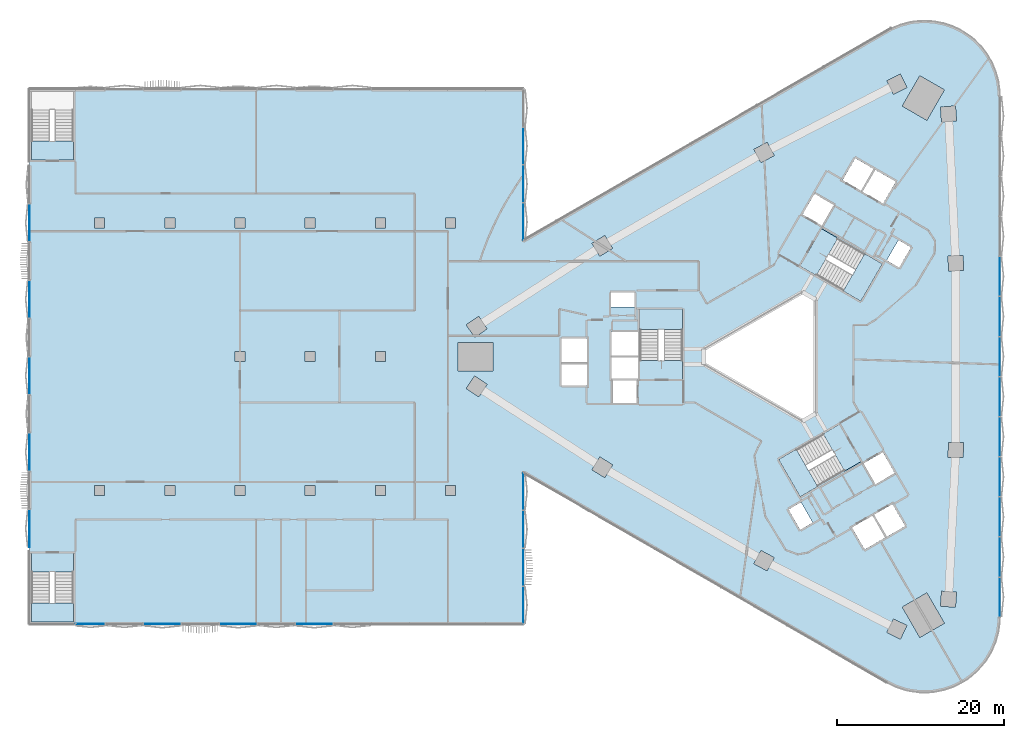
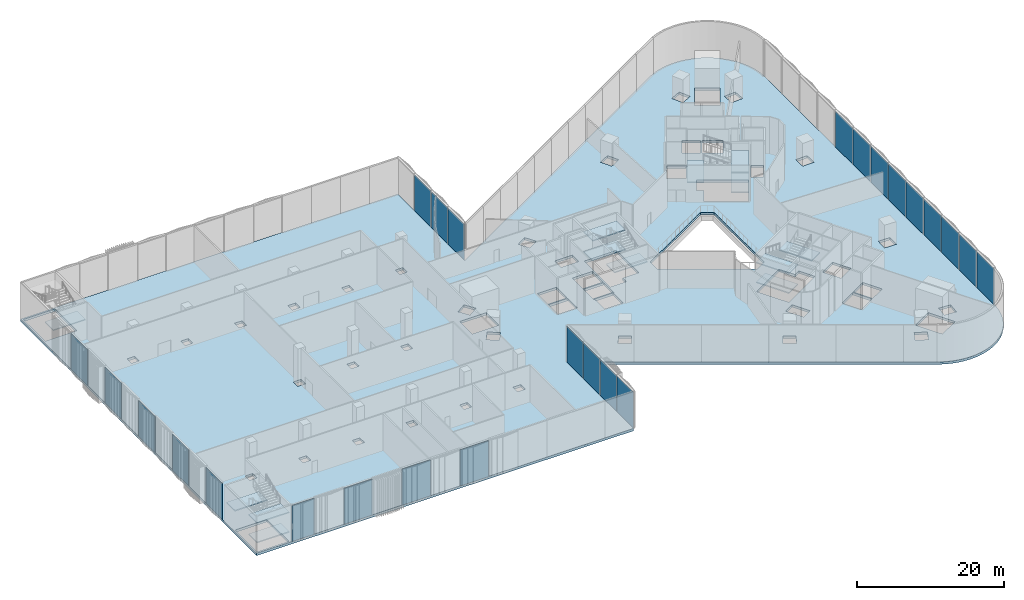
# One storey, part 10 of 32: 25 plates, 14 slabs, 8 elements without a shape of their own.
"""IFC4 building model written with IfcOpenShell, lengths in metres."""

from ifc_helpers import new_model, si_unit, direction, frame, origin, origin_2d, place, context, subcontext, project, spatial, polyline, rectangle, outline, extrude, material, layer, layer_set, type_object, element, aggregate, save


model = new_model("IFC4")

# Units and contexts
model_context = context("Model", 3, precision=1e-05, world=origin(), true_north=direction((0.0, 1.0)))
body_context = subcontext(model_context, "Body", "Model", "MODEL_VIEW")
ifc_project = project(units=[si_unit("LENGTHUNIT", "METRE"), si_unit("AREAUNIT", "SQUARE_METRE"), si_unit("VOLUMEUNIT", "CUBIC_METRE"), si_unit("PLANEANGLEUNIT", "RADIAN"), si_unit("MASSUNIT", "GRAM", prefix="KILO")], contexts=[model_context])

# Site, building, storey
site_placement = place(None, origin())
site = spatial("IfcSite", under=ifc_project, at=site_placement, CompositionType="ELEMENT")
building_placement = place(site_placement, origin())
building = spatial("IfcBuilding", under=site, at=building_placement, Name="Tamra Quay Hotel Tower", CompositionType="ELEMENT")
storey_placement = place(building_placement, frame((0.0, 0.0, 7.5)))
storey = spatial("IfcBuildingStorey", under=building, at=storey_placement, Name="L01", CompositionType="ELEMENT", Elevation=7.5)

# Stair, slabs
ifc_material_1 = material(Name="Exit stair 2200 44 risers 147.7 going 374")
stair_type = type_object("IfcStairType", Name="Exit stair 2200 44 risers 147.7 going 374", PredefinedType="HALF_TURN_STAIR", material=ifc_material_1)
stair_1_placement = place(storey_placement, origin())
stair_1 = element("IfcStair", 1, at=stair_1_placement, inside=storey, type_object=stair_type, Name="L01 Exit stair ST3", PredefinedType="HALF_TURN_STAIR")
ifc_material_2 = material(Name="Concrete M70", Category="concrete")
ifc_layer_1 = layer(ifc_material_2, 0.175048828125)
ifc_layer_set_1 = layer_set([ifc_layer_1], Name="Concrete M70 stair landing 180")
slab_type_1 = type_object("IfcSlabType", Name="Concrete M70 stair landing 180", PredefinedType="LANDING", material=ifc_layer_set_1)
slab_1_placement = place(storey_placement, frame((0.0, 0.0, 1.449951171875)))
slab_1 = element("IfcSlab", 2, at=slab_1_placement, type_object=slab_type_1, Name="ST3 landing 1", PredefinedType="LANDING", context=body_context, shape_type="SweptSolid", body=[
    extrude(outline(polyline([(-10.932373046875, 3.239990234375), (-10.932373046875, 5.679931640625), (-16.09130859375, 5.679931640625), (-16.09130859375, 3.239990234375), (-10.932373046875, 3.239990234375)])), origin(), (0.0, 0.0, 1.0), 0.175048828125),
])
slab_2_placement = place(storey_placement, frame((0.0, 0.0, 3.074951171875)))
slab_2 = element("IfcSlab", 3, at=slab_2_placement, type_object=slab_type_1, Name="ST3 landing 2", PredefinedType="LANDING", context=body_context, shape_type="SweptSolid", body=[
    extrude(outline(polyline([(-10.932373046875, -2.72998046875), (-10.932373046875, -0.460205078125), (-16.09130859375, -0.460205078125), (-16.09130859375, -2.72998046875), (-10.932373046875, -2.72998046875)])), origin(), (0.0, 0.0, 1.0), 0.175048828125),
])
slab_3_placement = place(storey_placement, frame((0.0, 0.0, 4.699951171875)))
slab_3 = element("IfcSlab", 4, at=slab_3_placement, type_object=slab_type_1, Name="ST3 landing 3", PredefinedType="LANDING", context=body_context, shape_type="SweptSolid", body=[
    extrude(outline(polyline([(-10.932373046875, 3.239990234375), (-10.932373046875, 5.679931640625), (-16.09130859375, 5.679931640625), (-16.09130859375, 3.239990234375), (-10.932373046875, 3.239990234375)])), origin(), (0.0, 0.0, 1.0), 0.175048828125),
])
aggregate(stair_1, [slab_1, slab_2, slab_3])

stair_2_placement = place(storey_placement, origin())
stair_2 = element("IfcStair", 5, at=stair_2_placement, inside=storey, type_object=stair_type, Name="L01 Exit stair ST1", PredefinedType="HALF_TURN_STAIR")
slab_4_placement = place(storey_placement, frame((0.0, 0.0, 1.449951171875)))
slab_4 = element("IfcSlab", 6, at=slab_4_placement, type_object=slab_type_1, Name="ST1 landing 1", PredefinedType="LANDING", context=body_context, shape_type="SweptSolid", body=[
    extrude(outline(polyline([(8.27197265625, 7.84765625), (10.385009765625, 6.627685546875), (12.964599609375, 11.095458984375), (10.8515625, 12.3154296875), (8.27197265625, 7.84765625)])), origin(), (0.0, 0.0, 1.0), 0.175048828125),
])
slab_5_placement = place(storey_placement, frame((0.0, 0.0, 3.074951171875)))
slab_5 = element("IfcSlab", 7, at=slab_5_placement, type_object=slab_type_1, Name="ST1 landing 2", PredefinedType="LANDING", context=body_context, shape_type="SweptSolid", body=[
    extrude(outline(polyline([(3.101806640625, 10.832763671875), (5.067626953125, 9.69775390625), (7.647216796875, 14.16552734375), (5.681396484375, 15.300537109375), (3.101806640625, 10.832763671875)])), origin(), (0.0, 0.0, 1.0), 0.175048828125),
])
slab_6_placement = place(storey_placement, frame((0.0, 0.0, 4.699951171875)))
slab_6 = element("IfcSlab", 8, at=slab_6_placement, type_object=slab_type_1, Name="ST1 landing 3", PredefinedType="LANDING", context=body_context, shape_type="SweptSolid", body=[
    extrude(outline(polyline([(8.27197265625, 7.84765625), (10.385009765625, 6.627685546875), (12.964599609375, 11.095458984375), (10.8515625, 12.3154296875), (8.27197265625, 7.84765625)])), origin(), (0.0, 0.0, 1.0), 0.175048828125),
])
aggregate(stair_2, [slab_4, slab_5, slab_6])

stair_3_placement = place(storey_placement, origin())
stair_3 = element("IfcStair", 9, at=stair_3_placement, inside=storey, type_object=stair_type, Name="L01 Exit stair ST2", PredefinedType="HALF_TURN_STAIR")
slab_7_placement = place(storey_placement, frame((0.0, 0.0, 1.449951171875)))
slab_7 = element("IfcSlab", 10, at=slab_7_placement, type_object=slab_type_1, Name="ST2 landing 1", PredefinedType="LANDING", context=body_context, shape_type="SweptSolid", body=[
    extrude(outline(polyline([(2.660400390625, -11.087646484375), (0.547119140625, -12.3076171875), (3.126708984375, -16.775390625), (5.23974609375, -15.555419921875), (2.660400390625, -11.087646484375)])), origin(), (0.0, 0.0, 1.0), 0.175048828125),
])
slab_8_placement = place(storey_placement, frame((0.0, 0.0, 3.074951171875)))
slab_8 = element("IfcSlab", 11, at=slab_8_placement, type_object=slab_type_1, Name="ST2 landing 2", PredefinedType="LANDING", context=body_context, shape_type="SweptSolid", body=[
    extrude(outline(polyline([(7.83056640625, -8.1025390625), (5.864501953125, -9.237548828125), (8.444091796875, -13.705322265625), (10.409912109375, -12.5703125), (7.83056640625, -8.1025390625)])), origin(), (0.0, 0.0, 1.0), 0.175048828125),
])
slab_9_placement = place(storey_placement, frame((0.0, 0.0, 4.699951171875)))
slab_9 = element("IfcSlab", 12, at=slab_9_placement, type_object=slab_type_1, Name="ST2 landing 3", PredefinedType="LANDING", context=body_context, shape_type="SweptSolid", body=[
    extrude(outline(polyline([(2.660400390625, -11.087646484375), (0.547119140625, -12.3076171875), (3.126708984375, -16.775390625), (5.23974609375, -15.555419921875), (2.660400390625, -11.087646484375)])), origin(), (0.0, 0.0, 1.0), 0.175048828125),
])
aggregate(stair_3, [slab_7, slab_8, slab_9])

# Stair, slab
stair_4_placement = place(storey_placement, origin())
stair_4 = element("IfcStair", 13, at=stair_4_placement, inside=storey, type_object=stair_type, Name="L01 Exit stair PS1", PredefinedType="HALF_TURN_STAIR")
slab_10_placement = place(storey_placement, frame((0.0, 0.0, 3.074951171875)))
slab_10 = element("IfcSlab", 14, at=slab_10_placement, type_object=slab_type_1, Name="PS1 landing 2", PredefinedType="LANDING", context=body_context, shape_type="SweptSolid", body=[
    extrude(outline(polyline([(-83.820068359375, 23.52001953125), (-83.820068359375, 25.7900390625), (-88.8798828125, 25.7900390625), (-88.8798828125, 23.52001953125), (-83.820068359375, 23.52001953125)])), origin(), (0.0, 0.0, 1.0), 0.175048828125),
])
aggregate(stair_4, [slab_10])

# Stair, slabs
stair_5_placement = place(storey_placement, origin())
stair_5 = element("IfcStair", 15, at=stair_5_placement, inside=storey, type_object=stair_type, Name="L01 Exit stair PS2", PredefinedType="HALF_TURN_STAIR")
slab_11_placement = place(storey_placement, frame((0.0, 0.0, 1.449951171875)))
slab_11 = element("IfcSlab", 16, at=slab_11_placement, type_object=slab_type_1, Name="PS2 landing 1", PredefinedType="LANDING", context=body_context, shape_type="SweptSolid", body=[
    extrude(outline(polyline([(-88.8798828125, -29.489990234375), (-88.8798828125, -31.780029296875), (-83.820068359375, -31.780029296875), (-83.820068359375, -29.489990234375), (-88.8798828125, -29.489990234375)])), origin(), (0.0, 0.0, 1.0), 0.175048828125),
])
slab_12_placement = place(storey_placement, frame((0.0, 0.0, 3.074951171875)))
slab_12 = element("IfcSlab", 17, at=slab_12_placement, type_object=slab_type_1, Name="PS2 landing 2", PredefinedType="LANDING", context=body_context, shape_type="SweptSolid", body=[
    extrude(outline(polyline([(-88.8798828125, -23.52001953125), (-88.8798828125, -25.7900390625), (-83.820068359375, -25.7900390625), (-83.820068359375, -23.52001953125), (-88.8798828125, -23.52001953125)])), origin(), (0.0, 0.0, 1.0), 0.175048828125),
])
slab_13_placement = place(storey_placement, frame((0.0, 0.0, 4.699951171875)))
slab_13 = element("IfcSlab", 18, at=slab_13_placement, type_object=slab_type_1, Name="PS2 landing 3", PredefinedType="LANDING", context=body_context, shape_type="SweptSolid", body=[
    extrude(outline(polyline([(-88.8798828125, -29.489990234375), (-88.8798828125, -31.780029296875), (-83.820068359375, -31.780029296875), (-83.820068359375, -29.489990234375), (-88.8798828125, -29.489990234375)])), origin(), (0.0, 0.0, 1.0), 0.175048828125),
])
aggregate(stair_5, [slab_11, slab_12, slab_13])

# Slab
ifc_material_3 = material(Name="Concrete M60", Category="concrete")
ifc_layer_2 = layer(ifc_material_3, 0.39990234375)
ifc_layer_set_2 = layer_set([ifc_layer_2], Name="FLOOR SLAB PT 400")
slab_type_2 = type_object("IfcSlabType", Name="FLOOR SLAB PT 400", PredefinedType="FLOOR", material=ifc_layer_set_2)
slab_14_placement = place(storey_placement, frame((0.0, 0.0, -0.39990234375)))
element("IfcSlab", 19, at=slab_14_placement, inside=storey, type_object=slab_type_2, Name="SLAB-L01", PredefinedType="FLOOR", context=body_context, shape_type="SweptSolid", body=[
    extrude(outline(polyline([(-89.10009765625, -32.0), (-89.10009765625, 32.0), (-30.0, 32.0), (-30.0, 13.8564453125), (13.5, 38.97119140625), (14.019287109375, 39.248779296875), (14.555908203125, 39.49169921875), (15.10693359375, 39.69921875), (15.670654296875, 39.8701171875), (16.244140625, 40.00390625), (16.8251953125, 40.099853515625), (17.411376953125, 40.15771484375), (18.0, 40.177001953125), (18.588623046875, 40.15771484375), (19.1748046875, 40.099853515625), (19.755859375, 40.00390625), (20.329345703125, 39.8701171875), (20.89306640625, 39.69921875), (21.444091796875, 39.49169921875), (21.980712890625, 39.248779296875), (22.5, 38.97119140625), (23.0, 38.66015625), (23.47900390625, 38.317138671875), (23.93408203125, 37.943603515625), (24.364013671875, 37.541015625), (24.7666015625, 37.111083984375), (25.14013671875, 36.65576171875), (25.483154296875, 36.177001953125), (25.794189453125, 35.677001953125), (26.072021484375, 35.157470703125), (26.31494140625, 34.62109375), (26.5224609375, 34.06982421875), (26.693359375, 33.50634765625), (26.8271484375, 32.9326171875), (26.923095703125, 32.351806640625), (26.980712890625, 31.765380859375), (27.0, 31.177001953125), (27.0, -31.177001953125), (26.980712890625, -31.765380859375), (26.923095703125, -32.351806640625), (26.8271484375, -32.9326171875), (26.693359375, -33.50634765625), (26.5224609375, -34.06982421875), (26.31494140625, -34.62109375), (26.072021484375, -35.157470703125), (25.794189453125, -35.677001953125), (25.483154296875, -36.177001953125), (25.14013671875, -36.65576171875), (24.7666015625, -37.111083984375), (24.364013671875, -37.541015625), (23.93408203125, -37.943603515625), (23.47900390625, -38.317138671875), (23.0, -38.66015625), (22.5, -38.97119140625), (21.980712890625, -39.248779296875), (21.444091796875, -39.49169921875), (20.89306640625, -39.69921875), (20.329345703125, -39.8701171875), (19.755859375, -40.00390625), (19.1748046875, -40.099853515625), (18.588623046875, -40.15771484375), (18.0, -40.177001953125), (17.411376953125, -40.15771484375), (16.8251953125, -40.099853515625), (16.244140625, -40.00390625), (15.670654296875, -39.8701171875), (15.10693359375, -39.69921875), (14.555908203125, -39.49169921875), (14.019287109375, -39.248779296875), (13.5, -38.97119140625), (-30.0, -13.8564453125), (-30.0, -32.0), (-89.10009765625, -32.0)]), holes=[polyline([(-88.824951171875, -25.794921875), (-88.824951171875, -31.72509765625), (-83.875, -31.72509765625), (-83.875, -25.794921875), (-88.824951171875, -25.794921875)]), polyline([(-64.5, -16.60009765625), (-63.300048828125, -16.60009765625), (-63.300048828125, -15.39990234375), (-64.5, -15.39990234375), (-64.5, -16.60009765625)]), polyline([(-39.300048828125, -16.60009765625), (-38.10009765625, -16.60009765625), (-38.10009765625, -15.39990234375), (-39.300048828125, -15.39990234375), (-39.300048828125, -16.60009765625)]), polyline([(-46.5, -16.60009765625), (-46.5, -15.39990234375), (-47.699951171875, -15.39990234375), (-47.699951171875, -16.60009765625), (-46.5, -16.60009765625)]), polyline([(-56.10009765625, -16.60009765625), (-54.89990234375, -16.60009765625), (-54.89990234375, -15.39990234375), (-56.10009765625, -15.39990234375), (-56.10009765625, -16.60009765625)]), polyline([(-72.89990234375, -16.60009765625), (-71.699951171875, -16.60009765625), (-71.699951171875, -15.39990234375), (-72.89990234375, -15.39990234375), (-72.89990234375, -16.60009765625)]), polyline([(-80.10009765625, -16.60009765625), (-80.10009765625, -15.39990234375), (-81.300048828125, -15.39990234375), (-81.300048828125, -16.60009765625), (-80.10009765625, -16.60009765625)]), polyline([(-64.5, -0.60009765625), (-63.300048828125, -0.60009765625), (-63.300048828125, 0.60009765625), (-64.5, 0.60009765625), (-64.5, -0.60009765625)]), polyline([(-56.10009765625, -0.60009765625), (-54.89990234375, -0.60009765625), (-54.89990234375, 0.60009765625), (-56.10009765625, 0.60009765625), (-56.10009765625, -0.60009765625)]), polyline([(-46.5, -0.60009765625), (-46.5, 0.60009765625), (-47.699951171875, 0.60009765625), (-47.699951171875, -0.60009765625), (-46.5, -0.60009765625)]), polyline([(-72.89990234375, 15.39990234375), (-71.699951171875, 15.39990234375), (-71.699951171875, 16.60009765625), (-72.89990234375, 16.60009765625), (-72.89990234375, 15.39990234375)]), polyline([(-64.5, 15.39990234375), (-63.300048828125, 15.39990234375), (-63.300048828125, 16.60009765625), (-64.5, 16.60009765625), (-64.5, 15.39990234375)]), polyline([(-54.89990234375, 15.39990234375), (-54.89990234375, 16.60009765625), (-56.10009765625, 16.60009765625), (-56.10009765625, 15.39990234375), (-54.89990234375, 15.39990234375)]), polyline([(-81.300048828125, 15.39990234375), (-80.10009765625, 15.39990234375), (-80.10009765625, 16.60009765625), (-81.300048828125, 16.60009765625), (-81.300048828125, 15.39990234375)]), polyline([(-47.699951171875, 15.39990234375), (-46.5, 15.39990234375), (-46.5, 16.60009765625), (-47.699951171875, 16.60009765625), (-47.699951171875, 15.39990234375)]), polyline([(-38.10009765625, 15.39990234375), (-38.10009765625, 16.60009765625), (-39.300048828125, 16.60009765625), (-39.300048828125, 15.39990234375), (-38.10009765625, 15.39990234375)]), polyline([(-88.824951171875, 25.794921875), (-83.875, 25.794921875), (-83.875, 31.72509765625), (-88.824951171875, 31.72509765625), (-88.824951171875, 25.794921875)]), polyline([(-1.56005859375, -23.202392578125), (-2.417236328125, -24.785400390625), (-0.83447265625, -25.642578125), (0.022705078125, -24.059814453125), (-1.56005859375, -23.202392578125)]), polyline([(3.1328125, -20.71630859375), (4.631103515625, -19.851318359375), (3.236083984375, -17.43505859375), (1.73779296875, -18.300048828125), (3.1328125, -20.71630859375)]), polyline([(-20.84765625, -12.010009765625), (-21.789794921875, -13.543701171875), (-20.256103515625, -14.48583984375), (-19.31396484375, -12.9521484375), (-20.84765625, -12.010009765625)]), polyline([(0.622314453125, -12.32763671875), (3.146728515625, -16.7001953125), (9.2783203125, -13.160400390625), (8.0185546875, -10.978271484375), (7.152587890625, -11.478271484375), (5.8876953125, -9.28759765625), (0.622314453125, -12.32763671875)]), polyline([(-16.3173828125, -2.85498046875), (-19.4072265625, -2.85498046875), (-19.4072265625, -2.89306640625), (-19.307373046875, -2.89306640625), (-19.307373046875, -5.544921875), (-16.417236328125, -5.544921875), (-16.417236328125, -2.89306640625), (-16.3173828125, -2.89306640625), (-16.3173828125, -2.85498046875)]), polyline([(-35.826416015625, -2.3154296875), (-36.8330078125, -3.8076171875), (-35.3408203125, -4.814208984375), (-34.333984375, -3.322021484375), (-35.826416015625, -2.3154296875)]), polyline([(-22.3671875, -3.445068359375), (-22.3671875, -0.905029296875), (-25.4072265625, -0.905029296875), (-25.4072265625, -3.445068359375), (-22.3671875, -3.445068359375)]), polyline([(-19.417236328125, -2.89306640625), (-19.417236328125, -2.64501953125), (-16.307373046875, -2.64501953125), (-16.307373046875, -2.89306640625), (-16.26708984375, -2.89306640625), (-16.26708984375, -0.10498046875), (-19.45751953125, -0.10498046875), (-19.45751953125, -2.89306640625), (-19.417236328125, -2.89306640625)]), polyline([(-37.828857421875, 1.699951171875), (-37.828857421875, -1.699951171875), (-33.62890625, -1.699951171875), (-33.62890625, 1.699951171875), (-37.828857421875, 1.699951171875)]), polyline([(3.39990234375, 7.736572265625), (-8.39990234375, 0.923828125), (-8.39990234375, -0.923828125), (3.39990234375, -7.736572265625), (5.0, -6.812744140625), (5.0, 6.812744140625), (3.39990234375, 7.736572265625)]), polyline([(-25.4072265625, -0.695068359375), (-22.3671875, -0.695068359375), (-22.3671875, 2.14501953125), (-25.4072265625, 2.14501953125), (-25.4072265625, -0.695068359375)]), polyline([(-16.26708984375, 0.10498046875), (-16.26708984375, 2.945068359375), (-19.45751953125, 2.945068359375), (-19.45751953125, 0.10498046875), (-16.26708984375, 0.10498046875)]), polyline([(-10.9873046875, 5.625), (-16.036376953125, 5.625), (-16.036376953125, -1.455078125), (-13.516845703125, -1.455078125), (-13.516845703125, -0.455078125), (-10.9873046875, -0.455078125), (-10.9873046875, 5.625)]), polyline([(-34.333984375, 3.322021484375), (-35.3408203125, 4.814208984375), (-36.8330078125, 3.8076171875), (-35.826416015625, 2.3154296875), (-34.333984375, 3.322021484375)]), polyline([(-19.50732421875, 7.64501953125), (-19.50732421875, 5.9150390625), (-16.71728515625, 5.9150390625), (-16.71728515625, 7.64501953125), (-19.50732421875, 7.64501953125)]), polyline([(-19.31396484375, 12.9521484375), (-20.256103515625, 14.48583984375), (-21.789794921875, 13.543701171875), (-20.84765625, 12.010009765625), (-19.31396484375, 12.9521484375)]), polyline([(0.022705078125, 24.059814453125), (-0.83447265625, 25.642578125), (-2.417236328125, 24.785400390625), (-1.56005859375, 23.202392578125), (0.022705078125, 24.059814453125)]), polyline([(13.501220703125, -33.012939453125), (15.118896484375, -33.802001953125), (15.907958984375, -32.18408203125), (14.290283203125, -31.395263671875), (13.501220703125, -33.012939453125)]), polyline([(15.34228515625, -29.973388671875), (17.442138671875, -33.61083984375), (20.38671875, -31.910888671875), (18.28662109375, -28.2734375), (15.34228515625, -29.973388671875)]), polyline([(19.91845703125, -29.868896484375), (21.714111328125, -29.994384765625), (21.839599609375, -28.198974609375), (20.0439453125, -28.0732421875), (19.91845703125, -29.868896484375)]), polyline([(11.78564453125, -19.02294921875), (9.325927734375, -20.443115234375), (10.845947265625, -23.075927734375), (13.3056640625, -21.65576171875), (11.78564453125, -19.02294921875)]), polyline([(14.1669921875, -17.648193359375), (11.96728515625, -18.91796875), (13.487548828125, -21.55078125), (15.68701171875, -20.281005859375), (14.1669921875, -17.648193359375)]), polyline([(10.68115234375, -12.790283203125), (12.05615234375, -15.171875), (11.969482421875, -15.2216796875), (12.03955078125, -15.343017578125), (14.455810546875, -13.947998046875), (13.0107421875, -11.4453125), (10.68115234375, -12.790283203125)]), polyline([(22.624267578125, -12.0986328125), (22.67333984375, -10.29931640625), (20.8740234375, -10.250244140625), (20.824951171875, -12.049560546875), (22.624267578125, -12.0986328125)]), polyline([(10.364990234375, 6.702880859375), (12.889404296875, 11.075439453125), (6.758056640625, 14.615478515625), (5.498291015625, 12.433349609375), (6.3642578125, 11.933349609375), (5.099609375, 9.742919921875), (10.364990234375, 6.702880859375)]), polyline([(20.8740234375, 10.250244140625), (22.67333984375, 10.29931640625), (22.624267578125, 12.0986328125), (20.824951171875, 12.049560546875), (20.8740234375, 10.250244140625)]), polyline([(16.37451171875, 13.0712890625), (14.876220703125, 13.936279296875), (13.481201171875, 11.52001953125), (14.9794921875, 10.655029296875), (16.37451171875, 13.0712890625)]), polyline([(5.736083984375, 15.645263671875), (7.111083984375, 18.02685546875), (7.19775390625, 17.976806640625), (7.267578125, 18.09814453125), (4.8515625, 19.4931640625), (3.406494140625, 16.990234375), (5.736083984375, 15.645263671875)]), polyline([(12.101806640625, 22.350830078125), (10.58154296875, 19.718017578125), (13.041259765625, 18.298095703125), (14.561279296875, 20.930908203125), (12.101806640625, 22.350830078125)]), polyline([(8.2001953125, 21.093017578125), (10.39990234375, 19.822998046875), (11.919921875, 22.455810546875), (9.72021484375, 23.725830078125), (8.2001953125, 21.093017578125)]), polyline([(20.0439453125, 28.0732421875), (21.839599609375, 28.198974609375), (21.714111328125, 29.994384765625), (19.91845703125, 29.868896484375), (20.0439453125, 28.0732421875)]), polyline([(18.28662109375, 28.2734375), (20.38671875, 31.910888671875), (17.442138671875, 33.61083984375), (15.34228515625, 29.973388671875), (18.28662109375, 28.2734375)]), polyline([(15.907958984375, 32.18408203125), (15.118896484375, 33.802001953125), (13.501220703125, 33.012939453125), (14.290283203125, 31.395263671875), (15.907958984375, 32.18408203125)])]), origin(), (0.0, 0.0, 1.0), 0.39990234375),
])

# Curtain wall, plates
ifc_material_4 = material(Name="Aluminium 6063 anodised dark grey", Category="aluminium")
curtain_wall_type = type_object("IfcCurtainWallType", Name="CW4 CURTAIN WALL", PredefinedType="NOTDEFINED", material=ifc_material_4)
curtain_wall_1_placement = place(storey_placement, origin())
curtain_wall_1 = element("IfcCurtainWall", 20, at=curtain_wall_1_placement, inside=storey, type_object=curtain_wall_type, Name="CW4 east face L01", PredefinedType="NOTDEFINED")
ifc_material_5 = material(Name="Glass clear laminated low-iron", Category="glass")
ifc_layer_3 = layer(ifc_material_5, 0.0400390625)
ifc_layer_set_3 = layer_set([ifc_layer_3], Name="GLASS PANEL CW4")
plate_type = type_object("IfcPlateType", Name="GLASS PANEL CW4", PredefinedType="CURTAIN_PANEL", material=ifc_layer_set_3)
plate_1_placement = place(storey_placement, frame((-30.0, -29.73193359375, 0.0), z_axis=(0.0, 0.0, 1.0), x_axis=(0.0, 1.0, 0.0)))
plate_1 = element("IfcPlate", 21, at=plate_1_placement, type_object=plate_type, Name="CW4 glass L01.E.1", PredefinedType="CURTAIN_PANEL", context=body_context, shape_type="SweptSolid", body=[
    extrude(rectangle(XDim=4.416015625, YDim=0.0400390625, at=origin_2d()), origin(), (0.0, 0.0, 1.0), 5.969970703125),
])
plate_2_placement = place(storey_placement, frame((-30.0, -25.196044921875, 0.0), z_axis=(0.0, 0.0, 1.0), x_axis=(0.0, 1.0, 0.0)))
plate_2 = element("IfcPlate", 22, at=plate_2_placement, type_object=plate_type, Name="CW4 glass L01.E.2", PredefinedType="CURTAIN_PANEL", context=body_context, shape_type="SweptSolid", body=[
    extrude(rectangle(XDim=4.416015625, YDim=0.0400390625, at=origin_2d()), origin(), (0.0, 0.0, 1.0), 5.969970703125),
])
plate_3_placement = place(storey_placement, frame((-30.0, -20.66015625, 0.0), z_axis=(0.0, 0.0, 1.0), x_axis=(0.0, 1.0, 0.0)))
plate_3 = element("IfcPlate", 23, at=plate_3_placement, type_object=plate_type, Name="CW4 glass L01.E.3", PredefinedType="CURTAIN_PANEL", context=body_context, shape_type="SweptSolid", body=[
    extrude(rectangle(XDim=4.416015625, YDim=0.0400390625, at=origin_2d()), origin(), (0.0, 0.0, 1.0), 5.969970703125),
])
plate_4_placement = place(storey_placement, frame((-30.0, -16.124267578125, 0.0), z_axis=(0.0, 0.0, 1.0), x_axis=(0.0, 1.0, 0.0)))
plate_4 = element("IfcPlate", 24, at=plate_4_placement, type_object=plate_type, Name="CW4 glass L01.E.4", PredefinedType="CURTAIN_PANEL", context=body_context, shape_type="SweptSolid", body=[
    extrude(rectangle(XDim=4.416015625, YDim=0.0400390625, at=origin_2d()), origin(), (0.0, 0.0, 1.0), 5.969970703125),
])
plate_5_placement = place(storey_placement, frame((27.0, -28.77880859375, 0.0), z_axis=(0.0, 0.0, 1.0), x_axis=(0.0, 1.0, 0.0)))
plate_5 = element("IfcPlate", 25, at=plate_5_placement, type_object=plate_type, Name="CW4 glass L01.E.5", PredefinedType="CURTAIN_PANEL", context=body_context, shape_type="SweptSolid", body=[
    extrude(rectangle(XDim=4.676513671875, YDim=0.0400390625, at=origin_2d()), origin(), (0.0, 0.0, 1.0), 5.969970703125),
])
plate_6_placement = place(storey_placement, frame((27.0, -23.982177734375, 0.0), z_axis=(0.0, 0.0, 1.0), x_axis=(0.0, 1.0, 0.0)))
plate_6 = element("IfcPlate", 26, at=plate_6_placement, type_object=plate_type, Name="CW4 glass L01.E.6", PredefinedType="CURTAIN_PANEL", context=body_context, shape_type="SweptSolid", body=[
    extrude(rectangle(XDim=4.676513671875, YDim=0.0400390625, at=origin_2d()), origin(), (0.0, 0.0, 1.0), 5.969970703125),
])
plate_7_placement = place(storey_placement, frame((27.0, -19.185791015625, 0.0), z_axis=(0.0, 0.0, 1.0), x_axis=(0.0, 1.0, 0.0)))
plate_7 = element("IfcPlate", 27, at=plate_7_placement, type_object=plate_type, Name="CW4 glass L01.E.7", PredefinedType="CURTAIN_PANEL", context=body_context, shape_type="SweptSolid", body=[
    extrude(rectangle(XDim=4.676513671875, YDim=0.0400390625, at=origin_2d()), origin(), (0.0, 0.0, 1.0), 5.969970703125),
])
plate_8_placement = place(storey_placement, frame((27.0, -14.389404296875, 0.0), z_axis=(0.0, 0.0, 1.0), x_axis=(0.0, 1.0, 0.0)))
plate_8 = element("IfcPlate", 28, at=plate_8_placement, type_object=plate_type, Name="CW4 glass L01.E.8", PredefinedType="CURTAIN_PANEL", context=body_context, shape_type="SweptSolid", body=[
    extrude(rectangle(XDim=4.676513671875, YDim=0.0400390625, at=origin_2d()), origin(), (0.0, 0.0, 1.0), 5.969970703125),
])
plate_9_placement = place(storey_placement, frame((27.0, -9.593017578125, 0.0), z_axis=(0.0, 0.0, 1.0), x_axis=(0.0, 1.0, 0.0)))
plate_9 = element("IfcPlate", 29, at=plate_9_placement, type_object=plate_type, Name="CW4 glass L01.E.9", PredefinedType="CURTAIN_PANEL", context=body_context, shape_type="SweptSolid", body=[
    extrude(rectangle(XDim=4.676513671875, YDim=0.0400390625, at=origin_2d()), origin(), (0.0, 0.0, 1.0), 5.969970703125),
])
plate_10_placement = place(storey_placement, frame((27.0, -4.79638671875, 0.0), z_axis=(0.0, 0.0, 1.0), x_axis=(0.0, 1.0, 0.0)))
plate_10 = element("IfcPlate", 30, at=plate_10_placement, type_object=plate_type, Name="CW4 glass L01.E.10", PredefinedType="CURTAIN_PANEL", context=body_context, shape_type="SweptSolid", body=[
    extrude(rectangle(XDim=4.676513671875, YDim=0.0400390625, at=origin_2d()), origin(), (0.0, 0.0, 1.0), 5.969970703125),
])
plate_11_placement = place(storey_placement, frame((27.0, 0.0, 0.0), z_axis=(0.0, 0.0, 1.0), x_axis=(0.0, 1.0, 0.0)))
plate_11 = element("IfcPlate", 31, at=plate_11_placement, type_object=plate_type, Name="CW4 glass L01.E.11", PredefinedType="CURTAIN_PANEL", context=body_context, shape_type="SweptSolid", body=[
    extrude(rectangle(XDim=4.676513671875, YDim=0.0400390625, at=origin_2d()), origin(), (0.0, 0.0, 1.0), 5.969970703125),
])
plate_12_placement = place(storey_placement, frame((27.0, 4.79638671875, 0.0), z_axis=(0.0, 0.0, 1.0), x_axis=(0.0, 1.0, 0.0)))
plate_12 = element("IfcPlate", 32, at=plate_12_placement, type_object=plate_type, Name="CW4 glass L01.E.12", PredefinedType="CURTAIN_PANEL", context=body_context, shape_type="SweptSolid", body=[
    extrude(rectangle(XDim=4.676513671875, YDim=0.0400390625, at=origin_2d()), origin(), (0.0, 0.0, 1.0), 5.969970703125),
])
plate_13_placement = place(storey_placement, frame((27.0, 9.593017578125, 0.0), z_axis=(0.0, 0.0, 1.0), x_axis=(0.0, 1.0, 0.0)))
plate_13 = element("IfcPlate", 33, at=plate_13_placement, type_object=plate_type, Name="CW4 glass L01.E.13", PredefinedType="CURTAIN_PANEL", context=body_context, shape_type="SweptSolid", body=[
    extrude(rectangle(XDim=4.676513671875, YDim=0.0400390625, at=origin_2d()), origin(), (0.0, 0.0, 1.0), 5.969970703125),
])
plate_14_placement = place(storey_placement, frame((-30.0, 16.124267578125, 0.0), z_axis=(0.0, 0.0, 1.0), x_axis=(0.0, 1.0, 0.0)))
plate_14 = element("IfcPlate", 34, at=plate_14_placement, type_object=plate_type, Name="CW4 glass L01.E.18", PredefinedType="CURTAIN_PANEL", context=body_context, shape_type="SweptSolid", body=[
    extrude(rectangle(XDim=4.416015625, YDim=0.0400390625, at=origin_2d()), origin(), (0.0, 0.0, 1.0), 5.969970703125),
])
plate_15_placement = place(storey_placement, frame((-30.0, 20.66015625, 0.0), z_axis=(0.0, 0.0, 1.0), x_axis=(0.0, 1.0, 0.0)))
plate_15 = element("IfcPlate", 35, at=plate_15_placement, type_object=plate_type, Name="CW4 glass L01.E.19", PredefinedType="CURTAIN_PANEL", context=body_context, shape_type="SweptSolid", body=[
    extrude(rectangle(XDim=4.416015625, YDim=0.0400390625, at=origin_2d()), origin(), (0.0, 0.0, 1.0), 5.969970703125),
])
plate_16_placement = place(storey_placement, frame((-30.0, 25.196044921875, 0.0), z_axis=(0.0, 0.0, 1.0), x_axis=(0.0, 1.0, 0.0)))
plate_16 = element("IfcPlate", 36, at=plate_16_placement, type_object=plate_type, Name="CW4 glass L01.E.20", PredefinedType="CURTAIN_PANEL", context=body_context, shape_type="SweptSolid", body=[
    extrude(rectangle(XDim=4.416015625, YDim=0.0400390625, at=origin_2d()), origin(), (0.0, 0.0, 1.0), 5.969970703125),
])
aggregate(curtain_wall_1, [plate_1, plate_2, plate_3, plate_4, plate_5, plate_6, plate_7, plate_8, plate_9, plate_10, plate_11, plate_12, plate_13, plate_14, plate_15, plate_16])

curtain_wall_2_placement = place(storey_placement, origin())
curtain_wall_2 = element("IfcCurtainWall", 37, at=curtain_wall_2_placement, inside=storey, type_object=curtain_wall_type, Name="CW4 south-west face L01", PredefinedType="NOTDEFINED")
plate_17_placement = place(storey_placement, frame((-81.803955078125, -32.0, 0.0), z_axis=(0.0, 0.0, 1.0), x_axis=(1.0, 0.0, 0.0)))
plate_17 = element("IfcPlate", 38, at=plate_17_placement, type_object=plate_type, Name="CW4 glass L01.SW.1", PredefinedType="CURTAIN_PANEL", context=body_context, shape_type="SweptSolid", body=[
    extrude(rectangle(XDim=3.472412109375, YDim=0.0400390625, at=origin_2d()), origin(), (0.0, 0.0, 1.0), 5.969970703125),
])
plate_18_placement = place(storey_placement, frame((-73.1884765625, -32.0, 0.0), z_axis=(0.0, 0.0, 1.0), x_axis=(1.0, 0.0, 0.0)))
plate_18 = element("IfcPlate", 39, at=plate_18_placement, type_object=plate_type, Name="CW4 glass L01.SW.2", PredefinedType="CURTAIN_PANEL", context=body_context, shape_type="SweptSolid", body=[
    extrude(rectangle(XDim=4.42626953125, YDim=0.0400390625, at=origin_2d()), origin(), (0.0, 0.0, 1.0), 5.969970703125),
])
plate_19_placement = place(storey_placement, frame((-64.09619140625, -32.0, 0.0), z_axis=(0.0, 0.0, 1.0), x_axis=(1.0, 0.0, 0.0)))
plate_19 = element("IfcPlate", 40, at=plate_19_placement, type_object=plate_type, Name="CW4 glass L01.SW.3", PredefinedType="CURTAIN_PANEL", context=body_context, shape_type="SweptSolid", body=[
    extrude(rectangle(XDim=4.42626953125, YDim=0.0400390625, at=origin_2d()), origin(), (0.0, 0.0, 1.0), 5.969970703125),
])
plate_20_placement = place(storey_placement, frame((-55.00390625, -32.0, 0.0), z_axis=(0.0, 0.0, 1.0), x_axis=(1.0, 0.0, 0.0)))
plate_20 = element("IfcPlate", 41, at=plate_20_placement, type_object=plate_type, Name="CW4 glass L01.SW.4", PredefinedType="CURTAIN_PANEL", context=body_context, shape_type="SweptSolid", body=[
    extrude(rectangle(XDim=4.42626953125, YDim=0.0400390625, at=origin_2d()), origin(), (0.0, 0.0, 1.0), 5.969970703125),
])
aggregate(curtain_wall_2, [plate_17, plate_18, plate_19, plate_20])

curtain_wall_3_placement = place(storey_placement, origin())
curtain_wall_3 = element("IfcCurtainWall", 42, at=curtain_wall_3_placement, inside=storey, type_object=curtain_wall_type, Name="CW4 west face L01", PredefinedType="NOTDEFINED")
plate_21_placement = place(storey_placement, frame((-89.10009765625, 16.0, 0.0), z_axis=(0.0, 0.0, 1.0), x_axis=(0.0, -1.0, 0.0)))
plate_21 = element("IfcPlate", 43, at=plate_21_placement, type_object=plate_type, Name="CW4 glass L01.W.1", PredefinedType="CURTAIN_PANEL", context=body_context, shape_type="SweptSolid", body=[
    extrude(rectangle(XDim=4.451416015625, YDim=0.0400390625, at=origin_2d()), origin(), (0.0, 0.0, 1.0), 5.969970703125),
])
plate_22_placement = place(storey_placement, frame((-89.10009765625, 6.857177734375, 0.0), z_axis=(0.0, 0.0, 1.0), x_axis=(0.0, -1.0, 0.0)))
plate_22 = element("IfcPlate", 44, at=plate_22_placement, type_object=plate_type, Name="CW4 glass L01.W.2", PredefinedType="CURTAIN_PANEL", context=body_context, shape_type="SweptSolid", body=[
    extrude(rectangle(XDim=4.451416015625, YDim=0.0400390625, at=origin_2d()), origin(), (0.0, 0.0, 1.0), 5.969970703125),
])
plate_23_placement = place(storey_placement, frame((-89.10009765625, -2.28564453125, 0.0), z_axis=(0.0, 0.0, 1.0), x_axis=(0.0, -1.0, 0.0)))
plate_23 = element("IfcPlate", 45, at=plate_23_placement, type_object=plate_type, Name="CW4 glass L01.W.3", PredefinedType="CURTAIN_PANEL", context=body_context, shape_type="SweptSolid", body=[
    extrude(rectangle(XDim=4.451416015625, YDim=0.0400390625, at=origin_2d()), origin(), (0.0, 0.0, 1.0), 5.969970703125),
])
plate_24_placement = place(storey_placement, frame((-89.10009765625, -11.428466796875, 0.0), z_axis=(0.0, 0.0, 1.0), x_axis=(0.0, -1.0, 0.0)))
plate_24 = element("IfcPlate", 46, at=plate_24_placement, type_object=plate_type, Name="CW4 glass L01.W.4", PredefinedType="CURTAIN_PANEL", context=body_context, shape_type="SweptSolid", body=[
    extrude(rectangle(XDim=4.451416015625, YDim=0.0400390625, at=origin_2d()), origin(), (0.0, 0.0, 1.0), 5.969970703125),
])
plate_25_placement = place(storey_placement, frame((-89.10009765625, -20.571533203125, 0.0), z_axis=(0.0, 0.0, 1.0), x_axis=(0.0, -1.0, 0.0)))
plate_25 = element("IfcPlate", 47, at=plate_25_placement, type_object=plate_type, Name="CW4 glass L01.W.5", PredefinedType="CURTAIN_PANEL", context=body_context, shape_type="SweptSolid", body=[
    extrude(rectangle(XDim=4.451416015625, YDim=0.0400390625, at=origin_2d()), origin(), (0.0, 0.0, 1.0), 5.969970703125),
])
aggregate(curtain_wall_3, [plate_21, plate_22, plate_23, plate_24, plate_25])

save(model, "model.ifc")
